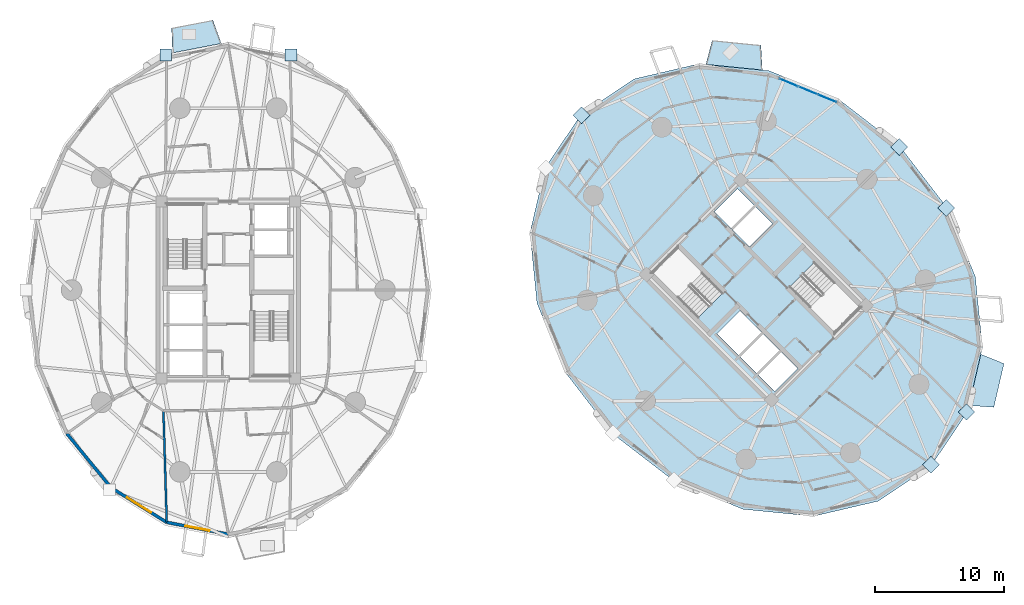
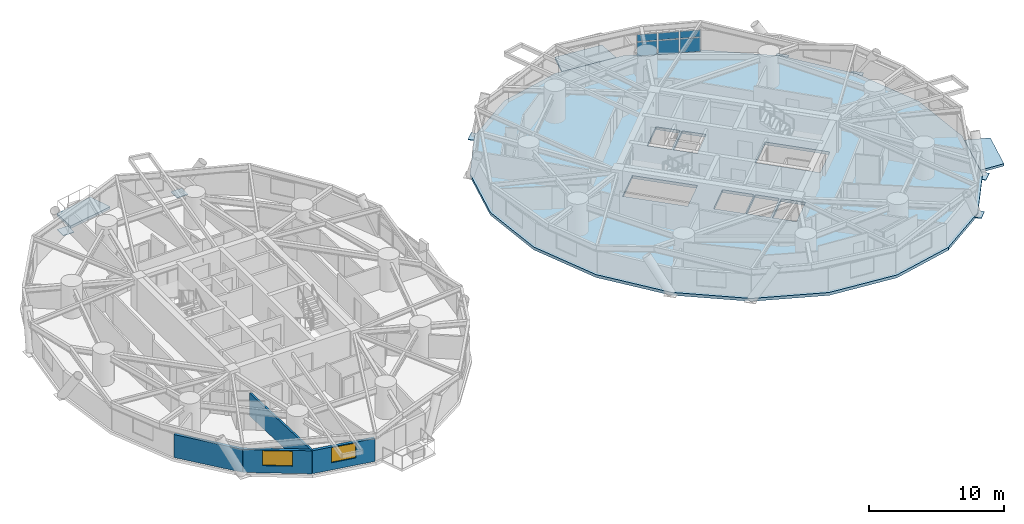
# One storey, part 9 of 20: 13 plates, 4 slabs, 4 walls, 2 windows, 2 openings, 1 element without a shape of its own.
"""IFC4 building model written with IfcOpenShell, lengths in metres."""

import ifcopenshell
import ifcopenshell.guid

model = None  # the IFC model being written
_history = None  # IfcOwnerHistory: only IFC2X3 demands one
_inside = {}  # id of a spatial element -> (the spatial element, [elements in it])
_under = {}  # id of a project, library or spatial element -> (it, [spatial elements below it])
_declared = {}  # id of a project -> (the project, [libraries it declares])
_typed = {}  # id of a type object -> (the type object, [elements of that type])
_made_of = {}  # id of a material, layer set ... -> (it, [elements and type objects made of it])


def new_model(schema):
    """Start an empty IFC model of exactly this schema.

    Asked for "IFC4X3", IfcOpenShell would pick the latest addendum, in which some entities
    have other attributes; the version numbers below select the first issue.
    IFC2X3 requires an IfcOwnerHistory on every rooted entity: one is made here for all.
    """
    global model, _history
    if schema == "IFC4X3":
        model = ifcopenshell.file(schema_version=(4, 3, 0, 0))
    else:
        model = ifcopenshell.file(schema=schema)
    _inside.clear()
    _under.clear()
    _declared.clear()
    _typed.clear()
    _made_of.clear()
    _history = None
    if model.schema == "IFC2X3":
        org = make("IfcOrganization", Name="unknown")
        user = make(
            "IfcPersonAndOrganization",
            ThePerson=make("IfcPerson", FamilyName="unknown"),
            TheOrganization=org,
        )
        app = make(
            "IfcApplication",
            ApplicationDeveloper=org,
            Version="unknown",
            ApplicationFullName="unknown",
            ApplicationIdentifier="unknown",
        )
        _history = make(
            "IfcOwnerHistory",
            OwningUser=user,
            OwningApplication=app,
            ChangeAction="ADDED",
            CreationDate=0,
        )
    return model


def make(cls, **values):
    """One entity of the class cls with the attributes given. An attribute that is None is left unset."""
    return model.create_entity(
        cls, **{name: value for name, value in values.items() if value is not None}
    )


def rooted(cls, **values):
    """An entity with a GlobalId (a new one), such as an element, a storey or a relation."""
    return make(cls, GlobalId=ifcopenshell.guid.new(), OwnerHistory=_history, **values)


def si_unit(unit_type, name, prefix=None):
    """IfcSIUnit, for example si_unit("LENGTHUNIT", "METRE", prefix="MILLI")."""
    return make("IfcSIUnit", UnitType=unit_type, Prefix=prefix, Name=name)


def assignment(units):
    """IfcUnitAssignment: the units of a project."""
    return None if units is None else make("IfcUnitAssignment", Units=units)


def point(xyz):
    """IfcCartesianPoint."""
    return None if xyz is None else make("IfcCartesianPoint", Coordinates=xyz)


def direction(xyz):
    """IfcDirection."""
    return None if xyz is None else make("IfcDirection", DirectionRatios=xyz)


def frame(location, z_axis=None, x_axis=None):
    """IfcAxis2Placement3D, a coordinate frame: its origin and axes. An axis left out is left unset."""
    return make(
        "IfcAxis2Placement3D",
        Location=point(location),
        Axis=direction(z_axis),
        RefDirection=direction(x_axis),
    )


def frame_2d(location, x_axis=None):
    """IfcAxis2Placement2D, a coordinate frame in the plane: its origin and x axis."""
    return make(
        "IfcAxis2Placement2D", Location=point(location), RefDirection=direction(x_axis)
    )


def origin():
    """The frame at (0, 0, 0) with its axes left unset."""
    return frame((0.0, 0.0, 0.0))


def origin_2d():
    """The frame at (0, 0) in the plane with its x axis left unset."""
    return frame_2d((0.0, 0.0))


def place(relative_to, where):
    """IfcLocalPlacement: puts the frame where relative to a parent placement (None: the world)."""
    return make(
        "IfcLocalPlacement", PlacementRelTo=relative_to, RelativePlacement=where
    )


def context(
    kind, dimensions, precision=None, world=None, true_north=None, identifier=None
):
    """IfcGeometricRepresentationContext, for example the 3D "Model" context."""
    return make(
        "IfcGeometricRepresentationContext",
        ContextIdentifier=identifier,
        ContextType=kind,
        CoordinateSpaceDimension=dimensions,
        Precision=precision,
        WorldCoordinateSystem=world,
        TrueNorth=true_north,
    )


def subcontext(parent, identifier, kind, view, scale=None):
    """IfcGeometricRepresentationSubContext, for example "Body" below "Model"."""
    return make(
        "IfcGeometricRepresentationSubContext",
        ContextIdentifier=identifier,
        ContextType=kind,
        ParentContext=parent,
        TargetScale=scale,
        TargetView=view,
    )


def project(units=None, contexts=None):
    """IfcProject with its units and contexts."""
    return rooted(
        "IfcProject",
        Name="project",
        RepresentationContexts=contexts,
        UnitsInContext=assignment(units),
    )


def spatial(cls, under=None, at=None, **own):
    """A site, building, storey or space (cls), placed at a placement, below another one or the project."""
    s = rooted(cls, ObjectPlacement=at, **own)
    if under is not None:
        _under.setdefault(under.id(), (under, []))[1].append(s)
    return s


def polyline(points):
    """IfcPolyline through the points."""
    return make("IfcPolyline", Points=[point(p) for p in points])


def profile(cls, at=None, kind="AREA", **sizes):
    """A parametric profile (cls). Its sizes go by their IFC names, for example OverallWidth=200.0."""
    return make(cls, ProfileType=kind, Position=at, **sizes)


def rectangle(**sizes):
    """IfcRectangleProfileDef."""
    return profile("IfcRectangleProfileDef", **sizes)


def outline(outer, holes=None, kind="AREA"):
    """IfcArbitraryClosedProfileDef: a profile drawn as a closed curve; with holes, ...WithVoids."""
    if holes is None:
        return make("IfcArbitraryClosedProfileDef", ProfileType=kind, OuterCurve=outer)
    return make(
        "IfcArbitraryProfileDefWithVoids",
        ProfileType=kind,
        OuterCurve=outer,
        InnerCurves=holes,
    )


def extrude(swept, where, along, depth):
    """IfcExtrudedAreaSolid: the profile swept, set in the frame where, extruded along a direction by depth."""
    return make(
        "IfcExtrudedAreaSolid",
        SweptArea=swept,
        Position=where,
        ExtrudedDirection=direction(along),
        Depth=depth,
    )


def shape(context_of_items, identifier, shape_type, items):
    """IfcShapeRepresentation: the items that make up one representation, for example the "Body"."""
    return make(
        "IfcShapeRepresentation",
        ContextOfItems=context_of_items,
        RepresentationIdentifier=identifier,
        RepresentationType=shape_type,
        Items=items,
    )


def source(mapping_origin, context_of_items, identifier, shape_type, items):
    """IfcRepresentationMap: a shape defined once, which mapped items show again and again."""
    return make(
        "IfcRepresentationMap",
        MappingOrigin=mapping_origin,
        MappedRepresentation=shape(context_of_items, identifier, shape_type, items),
    )


def transform(
    local_origin,
    x_axis=None,
    y_axis=None,
    z_axis=None,
    scale=None,
    scale2=None,
    scale3=None,
    uniform=True,
):
    """IfcCartesianTransformationOperator3D, or its non-uniform kind. x_axis, y_axis, z_axis: its Axis1, 2, 3."""
    if uniform:
        return make(
            "IfcCartesianTransformationOperator3D",
            Axis1=direction(x_axis),
            Axis2=direction(y_axis),
            LocalOrigin=point(local_origin),
            Scale=scale,
            Axis3=direction(z_axis),
        )
    return make(
        "IfcCartesianTransformationOperator3DnonUniform",
        Axis1=direction(x_axis),
        Axis2=direction(y_axis),
        LocalOrigin=point(local_origin),
        Scale=scale,
        Axis3=direction(z_axis),
        Scale2=scale2,
        Scale3=scale3,
    )


def mapped(mapping_source, mapping_target):
    """IfcMappedItem: shows the shape of a source again, moved by a transform."""
    return make(
        "IfcMappedItem", MappingSource=mapping_source, MappingTarget=mapping_target
    )


def material(Name=None, Category=None):
    """IfcMaterial."""
    return make("IfcMaterial", Name=Name, Category=Category)


def layer(
    of_material, thickness, ventilated=None, Name=None, Category=None, Priority=None
):
    """IfcMaterialLayer: one layer of a wall or slab, of a material (None: an air gap)."""
    return make(
        "IfcMaterialLayer",
        Material=of_material,
        LayerThickness=thickness,
        IsVentilated=ventilated,
        Name=Name,
        Category=Category,
        Priority=Priority,
    )


def layer_set(layers, Name=None):
    """IfcMaterialLayerSet."""
    return make("IfcMaterialLayerSet", MaterialLayers=layers, LayerSetName=Name)


def made_of(thing, what):
    """Note that an element or type object is made of a material, layer set ...; save() writes the relation."""
    if what is not None:
        _made_of.setdefault(what.id(), (what, []))[1].append(thing)
    return thing


def type_object(cls, material=None, **own):
    """A type object (cls), such as IfcWallType, which elements share."""
    return made_of(rooted(cls, **own), material)


def element(
    cls,
    number,
    at=None,
    inside=None,
    cuts=None,
    type_object=None,
    material=None,
    context=None,
    identifier="Body",
    shape_type=None,
    held_by="IfcProductDefinitionShape",
    body=None,
    shapes=None,
    **own,
):
    """One element of the class cls, such as IfcWall. Its Tag is "e" and its number.

    at: its placement. inside: the storey or other place that contains it. cuts: it is an
    opening in that element (IfcRelVoidsElement). A single representation is given by context,
    identifier, shape_type and body (its items); several are given by shapes. held_by: the class
    of the entity that holds the representations. save() writes the other relations.
    """
    e = rooted(cls, Tag="e%d" % number, ObjectPlacement=at, **own)
    if body is not None:
        shapes = [shape(context, identifier, shape_type, body)]
    if shapes is not None:
        e.Representation = make(held_by, Representations=shapes)
    if inside is not None:
        _inside.setdefault(inside.id(), (inside, []))[1].append(e)
    if cuts is not None:
        rooted(
            "IfcRelVoidsElement", RelatingBuildingElement=cuts, RelatedOpeningElement=e
        )
    if type_object is not None:
        _typed.setdefault(type_object.id(), (type_object, []))[1].append(e)
    return made_of(e, material)


def fill(opening, filler):
    """IfcRelFillsElement: the door or window that sits in an opening."""
    return rooted(
        "IfcRelFillsElement",
        RelatingOpeningElement=opening,
        RelatedBuildingElement=filler,
    )


def aggregate(whole, parts):
    """IfcRelAggregates: a whole, such as a stair, and the parts it consists of."""
    return rooted("IfcRelAggregates", RelatingObject=whole, RelatedObjects=parts)


def save(model, path):
    """Write the relations noted so far, then the file.

    IfcRelAggregates (storeys below a building ...), IfcRelContainedInSpatialStructure (elements
    in a storey), IfcRelDefinesByType, IfcRelAssociatesMaterial and IfcRelDeclares: one each for
    every whole, place, type object, material and project.
    """
    for whole, parts in _under.values():
        aggregate(whole, parts)
    for where, things in _inside.values():
        rooted(
            "IfcRelContainedInSpatialStructure",
            RelatedElements=things,
            RelatingStructure=where,
        )
    for kind, things in _typed.values():
        rooted("IfcRelDefinesByType", RelatedObjects=things, RelatingType=kind)
    for what, things in _made_of.values():
        rooted("IfcRelAssociatesMaterial", RelatedObjects=things, RelatingMaterial=what)
    for by, libraries in _declared.values():
        rooted("IfcRelDeclares", RelatingContext=by, RelatedDefinitions=libraries)
    model.write(path)


model = new_model("IFC4")

# Units and contexts
model_context = context("Model", 3, precision=1e-05, world=origin(), true_north=direction((0.0, 1.0)))
body_context = subcontext(model_context, "Body", "Model", "MODEL_VIEW")
ifc_project = project(units=[si_unit("LENGTHUNIT", "METRE"), si_unit("AREAUNIT", "SQUARE_METRE"), si_unit("VOLUMEUNIT", "CUBIC_METRE"), si_unit("PLANEANGLEUNIT", "RADIAN"), si_unit("MASSUNIT", "GRAM", prefix="KILO")], contexts=[model_context])

# Site, building, storey
site_placement = place(None, origin())
site = spatial("IfcSite", under=ifc_project, at=site_placement, CompositionType="ELEMENT")
building_placement = place(site_placement, origin())
building = spatial("IfcBuilding", under=site, at=building_placement, Name="Cununo Teusaquillo Station Towers", CompositionType="ELEMENT")
storey_placement = place(building_placement, frame((0.0, 0.0, 39.4599609375)))
storey = spatial("IfcBuildingStorey", under=building, at=storey_placement, Name="L11", CompositionType="ELEMENT", Elevation=39.4599609375)

# Slabs
ifc_material_1 = material(Name="Concrete C50/60", Category="concrete")
ifc_layer_1 = layer(ifc_material_1, 0.2099609375)
ifc_layer_set_1 = layer_set([ifc_layer_1], Name="Concrete C50/60")
slab_type_1 = type_object("IfcSlabType", Name="SLB-BAL-210", PredefinedType="FLOOR", material=ifc_layer_set_1)
slab_1_placement = place(storey_placement, frame((0.0, 0.0, -0.2099609375)))
element("IfcSlab", 1, at=slab_1_placement, inside=storey, type_object=slab_type_1, Name="L11 Tower A Tree Balcony Slab 1", PredefinedType="FLOOR", context=body_context, shape_type="SweptSolid", body=[
    extrude(outline(polyline([(15.958984375, 43.650634765625), (12.1630859375, 42.9169921875), (12.09423828125, 44.854248046875), (15.30126953125, 45.473876953125), (15.958984375, 43.650634765625)])), origin(), (0.0, 0.0, 1.0), 0.2099609375),
])
slab_2_placement = place(storey_placement, frame((0.0, 0.0, -0.2099609375)))
element("IfcSlab", 2, at=slab_2_placement, inside=storey, type_object=slab_type_1, Name="L11 Tower B Tree Balcony Slab 1", PredefinedType="FLOOR", context=body_context, shape_type="SweptSolid", body=[
    extrude(outline(polyline([(57.97900390625, 41.586669921875), (53.59375, 42.02099609375), (54.081298828125, 43.897216796875), (57.869140625, 43.52197265625), (57.97900390625, 41.586669921875)])), origin(), (0.0, 0.0, 1.0), 0.2099609375),
])
slab_3_placement = place(storey_placement, frame((0.0, 0.0, -0.2099609375)))
element("IfcSlab", 3, at=slab_3_placement, inside=storey, type_object=slab_type_1, Name="L11 Tower B Tree Balcony Slab 2", PredefinedType="FLOOR", context=body_context, shape_type="SweptSolid", body=[
    extrude(outline(polyline([(74.023193359375, 15.536865234375), (74.9501953125, 19.50927734375), (76.7470703125, 18.781982421875), (75.956298828125, 15.393798828125), (74.023193359375, 15.536865234375)])), origin(), (0.0, 0.0, 1.0), 0.2099609375),
])
ifc_material_2 = material(Name="Concrete C50/60", Category="concrete")
ifc_layer_2 = layer(ifc_material_2, 0.260009765625)
ifc_layer_set_2 = layer_set([ifc_layer_2], Name="Concrete C50/60")
slab_type_2 = type_object("IfcSlabType", Name="SLB-Z1-260", PredefinedType="FLOOR", material=ifc_layer_set_2)
slab_4_placement = place(storey_placement, frame((0.0, 0.0, -0.260009765625)))
element("IfcSlab", 4, at=slab_4_placement, inside=storey, type_object=slab_type_2, Name="L11 Tower B Floor Slab", PredefinedType="FLOOR", context=body_context, shape_type="SweptSolid", body=[
    extrude(outline(polyline([(68.657470703125, 35.657470703125), (63.905029296875, 39.317626953125), (58.525634765625, 41.52734375), (53.0458984375, 42.0703125), (48.002197265625, 40.893310546875), (43.88818359375, 38.11181640625), (41.106689453125, 33.997802734375), (39.9296875, 28.9541015625), (40.47265625, 23.474365234375), (42.682373046875, 18.094970703125), (46.342529296875, 13.342529296875), (51.094970703125, 9.682373046875), (56.474365234375, 7.47265625), (61.9541015625, 6.9296875), (66.997802734375, 8.106689453125), (71.11181640625, 10.88818359375), (73.893310546875, 15.002197265625), (75.0703125, 20.0458984375), (74.52734375, 25.525634765625), (72.317626953125, 30.905029296875), (68.657470703125, 35.657470703125)]), holes=[polyline([(54.914794921875, 24.28515625), (51.390625, 27.809326171875), (49.43896484375, 25.857666015625), (52.963134765625, 22.33349609375), (54.914794921875, 24.28515625)]), polyline([(60.085205078125, 24.71484375), (63.609375, 21.190673828125), (65.56103515625, 23.142333984375), (62.036865234375, 26.66650390625), (60.085205078125, 24.71484375)]), polyline([(56.156494140625, 19.40869140625), (57.945556640625, 21.19775390625), (56.248291015625, 22.89501953125), (54.45947265625, 21.10595703125), (56.156494140625, 19.40869140625)]), polyline([(58.94970703125, 16.61572265625), (60.738525390625, 18.40478515625), (59.430419921875, 19.712890625), (57.641357421875, 17.923828125), (58.94970703125, 16.61572265625)]), polyline([(57.535400390625, 18.030029296875), (59.32421875, 19.819091796875), (58.01611328125, 21.127197265625), (56.227294921875, 19.338134765625), (57.535400390625, 18.030029296875)]), polyline([(56.98388671875, 27.872802734375), (58.772705078125, 29.661865234375), (57.464599609375, 30.969970703125), (55.67578125, 29.180908203125), (56.98388671875, 27.872802734375)]), polyline([(55.569580078125, 29.287109375), (57.358642578125, 31.076171875), (56.05029296875, 32.38427734375), (54.261474609375, 30.59521484375), (55.569580078125, 29.287109375)])]), origin(), (0.0, 0.0, 1.0), 0.260009765625),
])

# Plates
ifc_material_3 = material(Name="Steel ASTM A572 Grade 50", Category="steel")
ifc_layer_3 = layer(ifc_material_3, 0.050048828125)
ifc_layer_set_3 = layer_set([ifc_layer_3], Name="Steel ASTM A572 Grade 50")
plate_type_1 = type_object("IfcPlateType", Name="PLT-NODE-DN1", PredefinedType="USERDEFINED", material=ifc_layer_set_3)
shared_shape_1 = source(origin(), body_context, "Body", "SweptSolid", [
    extrude(rectangle(XDim=0.919921875, YDim=0.919921875, at=origin_2d()), origin(), (0.0, 0.0, 1.0), 0.050048828125),
])
for number, where, z_axis, x_axis, name in (
    (5, (21.357421875, 42.750732421875, -0.1650390625), (0.0, 0.0, 1.0), (1.0, 0.0, 0.0), "L11 Tower A Diagrid Node Assembly C03"),
    (6, (11.642578125, 42.750732421875, -0.1650390625), (0.0, 0.0, 1.0), (1.0, 0.0, 0.0), "L11 Tower A Diagrid Node Assembly C06"),
    (7, (68.614990234375, 35.614990234375, -0.1650390625), (0.0, 0.0, 1.0), (0.707106781187, 0.707106781187, 0.0), "L11 Tower B Diagrid Node Assembly C00"),
    (8, (43.9306640625, 38.0693359375, -0.1650390625), (0.0, 0.0, 1.0), (0.707106781187, 0.707106781187, 0.0), "L11 Tower B Diagrid Node Assembly C04"),
    (9, (71.0693359375, 10.9306640625, -0.1650390625), (0.0, 0.0, 1.0), (0.707106781187, 0.707106781187, 0.0), "L11 Tower B Diagrid Node Assembly C14"),
    (10, (73.840087890625, 15.029296875, -0.1650390625), (0.0, 0.0, 1.0), (0.707106781187, 0.707106781187, 0.0), "L11 Tower B Diagrid Node Assembly C16"),
    (11, (72.26416015625, 30.8779296875, -0.1650390625), (0.0, 0.0, 1.0), (0.707106781187, 0.707106781187, 0.0), "L11 Tower B Diagrid Node Assembly C18"),
):
    element("IfcPlate", number, at=place(storey_placement, frame(where, z_axis=z_axis, x_axis=x_axis)), inside=storey, type_object=plate_type_1, Name=name, ObjectType="GUSSET PLATE", PredefinedType="USERDEFINED", context=body_context, shape_type="MappedRepresentation", body=[
        mapped(shared_shape_1, transform((0.0, 0.0, 0.0), x_axis=(1.0, 0.0, 0.0), y_axis=(0.0, 1.0, 0.0), z_axis=(0.0, 0.0, 1.0), scale=1.0)),
    ])

# Curtain wall, plates
ifc_material_4 = material(Name="Ceramic-fritted dark low-E double glazing", Category="glass")
ifc_layer_4 = layer(ifc_material_4, 0.179931640625)
ifc_layer_set_4 = layer_set([ifc_layer_4], Name="Ceramic-fritted dark low-E double glazing")
curtain_wall_type = type_object("IfcCurtainWallType", Name="CW-SYS-02", PredefinedType="USERDEFINED", material=ifc_layer_set_4)
curtain_wall_placement = place(storey_placement, origin())
curtain_wall = element("IfcCurtainWall", 12, at=curtain_wall_placement, inside=storey, type_object=curtain_wall_type, Name="L11 Tower B Facade Curtain Wall C01", ObjectType="FRITTED GLAZING", PredefinedType="USERDEFINED")
ifc_material_5 = material(Name="Ceramic-fritted dark low-E double glazing", Category="glass")
ifc_layer_5 = layer(ifc_material_5, 0.028076171875)
ifc_layer_set_5 = layer_set([ifc_layer_5], Name="Ceramic-fritted dark low-E double glazing")
plate_type_2 = type_object("IfcPlateType", Name="CWP-FRIT-28", PredefinedType="CURTAIN_PANEL", material=ifc_layer_set_5)
shared_shape_2 = source(origin(), body_context, "Body", "SweptSolid", [
    extrude(rectangle(XDim=1.52099609375, YDim=0.028076171875, at=origin_2d()), origin(), (0.0, 0.0, 1.0), 1.241943359375),
])
plate_1_placement = place(storey_placement, frame((60.03564453125, 40.610595703125, 0.06982421875), z_axis=(0.0, 0.0, 1.0), x_axis=(0.924552379146, -0.381054980568, 0.0)))
plate_1 = element("IfcPlate", 13, at=plate_1_placement, type_object=plate_type_2, Name="CW-02 panel 1.1", PredefinedType="CURTAIN_PANEL", context=body_context, shape_type="MappedRepresentation", body=[
    mapped(shared_shape_2, transform((0.0, 0.0, 0.0), x_axis=(1.0, 0.0, 0.0), y_axis=(0.0, 1.0, 0.0), z_axis=(0.0, 0.0, 1.0), scale=1.0)),
])
plate_2_placement = place(storey_placement, frame((63.010009765625, 39.384765625, 0.06982421875), z_axis=(0.0, 0.0, 1.0), x_axis=(0.924552379146, -0.381054980568, 0.0)))
plate_2 = element("IfcPlate", 14, at=plate_2_placement, type_object=plate_type_2, Name="CW-02 panel 3.1", PredefinedType="CURTAIN_PANEL", context=body_context, shape_type="MappedRepresentation", body=[
    mapped(shared_shape_2, transform((0.0, 0.0, 0.0), x_axis=(1.0, 0.0, 0.0), y_axis=(0.0, 1.0, 0.0), z_axis=(0.0, 0.0, 1.0), scale=1.0)),
])
shared_shape_3 = source(origin(), body_context, "Body", "SweptSolid", [
    extrude(rectangle(XDim=1.52099609375, YDim=0.028076171875, at=origin_2d()), origin(), (0.0, 0.0, 1.0), 0.62109375),
])
plate_3_placement = place(storey_placement, frame((60.03564453125, 40.610595703125, 1.382080078125), z_axis=(0.0, 0.0, 1.0), x_axis=(0.924552379146, -0.381054980568, 0.0)))
plate_3 = element("IfcPlate", 15, at=plate_3_placement, type_object=plate_type_2, Name="CW-02 panel 1.2", PredefinedType="CURTAIN_PANEL", context=body_context, shape_type="MappedRepresentation", body=[
    mapped(shared_shape_3, transform((0.0, 0.0, 0.0), x_axis=(1.0, 0.0, 0.0), y_axis=(0.0, 1.0, 0.0), z_axis=(0.0, 0.0, 1.0), scale=1.0)),
])
plate_4_placement = place(storey_placement, frame((63.010009765625, 39.384765625, 1.382080078125), z_axis=(0.0, 0.0, 1.0), x_axis=(0.924552379146, -0.381054980568, 0.0)))
plate_4 = element("IfcPlate", 16, at=plate_4_placement, type_object=plate_type_2, Name="CW-02 panel 3.2", PredefinedType="CURTAIN_PANEL", context=body_context, shape_type="MappedRepresentation", body=[
    mapped(shared_shape_3, transform((0.0, 0.0, 0.0), x_axis=(1.0, 0.0, 0.0), y_axis=(0.0, 1.0, 0.0), z_axis=(0.0, 0.0, 1.0), scale=1.0)),
])
shared_shape_4 = source(origin(), body_context, "Body", "SweptSolid", [
    extrude(rectangle(XDim=1.555908203125, YDim=0.028076171875, at=origin_2d()), origin(), (0.0, 0.0, 1.0), 1.241943359375),
])
plate_5_placement = place(storey_placement, frame((61.52294921875, 39.99755859375, 0.06982421875), z_axis=(0.0, 0.0, 1.0), x_axis=(0.924552379146, -0.381054980568, 0.0)))
plate_5 = element("IfcPlate", 17, at=plate_5_placement, type_object=plate_type_2, Name="CW-02 panel 2.1", PredefinedType="CURTAIN_PANEL", context=body_context, shape_type="MappedRepresentation", body=[
    mapped(shared_shape_4, transform((0.0, 0.0, 0.0), x_axis=(1.0, 0.0, 0.0), y_axis=(0.0, 1.0, 0.0), z_axis=(0.0, 0.0, 1.0), scale=1.0)),
])
shared_shape_5 = source(origin(), body_context, "Body", "SweptSolid", [
    extrude(rectangle(XDim=1.555908203125, YDim=0.028076171875, at=origin_2d()), origin(), (0.0, 0.0, 1.0), 0.62109375),
])
plate_6_placement = place(storey_placement, frame((61.52294921875, 39.99755859375, 1.382080078125), z_axis=(0.0, 0.0, 1.0), x_axis=(0.924552379146, -0.381054980568, 0.0)))
plate_6 = element("IfcPlate", 18, at=plate_6_placement, type_object=plate_type_2, Name="CW-02 panel 2.2", PredefinedType="CURTAIN_PANEL", context=body_context, shape_type="MappedRepresentation", body=[
    mapped(shared_shape_5, transform((0.0, 0.0, 0.0), x_axis=(1.0, 0.0, 0.0), y_axis=(0.0, 1.0, 0.0), z_axis=(0.0, 0.0, 1.0), scale=1.0)),
])
aggregate(curtain_wall, [plate_1, plate_3, plate_5, plate_6, plate_2, plate_4])

# Wall
ifc_material_6 = material(Name="Precast concrete C40/50", Category="concrete")
ifc_layer_6 = layer(ifc_material_6, 0.239990234375)
ifc_layer_set_6 = layer_set([ifc_layer_6], Name="Precast concrete C40/50")
wall_type_1 = type_object("IfcWallType", Name="WL-EXT-240", PredefinedType="SOLIDWALL", material=ifc_layer_set_6)
wall_1_placement = place(storey_placement, frame((7.389892578125, 9.15283203125, 0.0), z_axis=(0.0, 0.0, 1.0), x_axis=(-0.632710215588, 0.774388651189, 0.0)))
element("IfcWall", 19, at=wall_1_placement, inside=storey, type_object=wall_type_1, Name="L11 Tower A Exterior Facade Wall C12", PredefinedType="SOLIDWALL", context=body_context, shape_type="SweptSolid", body=[
    extrude(rectangle(XDim=5.41943359375, YDim=0.239990234375, at=frame_2d((2.709716796875, 0.0))), origin(), (0.0, 0.0, 1.0), 2.072998046875),
])

# Wall, opening, window
wall_2_placement = place(storey_placement, frame((11.71044921875, 6.45849609375, 0.0), z_axis=(0.0, 0.0, 1.0), x_axis=(-0.848528534887, 0.529149624853, 0.0)))
wall_2 = element("IfcWall", 20, at=wall_2_placement, inside=storey, type_object=wall_type_1, Name="L11 Tower A Exterior Facade Wall C13", PredefinedType="SOLIDWALL", context=body_context, shape_type="SweptSolid", body=[
    extrude(rectangle(XDim=5.091796875, YDim=0.239990234375, at=frame_2d((2.5458984375, 0.0))), origin(), (0.0, 0.0, 1.0), 2.072998046875),
])
shared_shape_6 = source(origin(), body_context, "Body", "SweptSolid", [
    extrude(rectangle(XDim=2.199951171875, YDim=1.35009765625, at=frame_2d((1.10009765625, 0.675048828125))), frame((0.0, 0.1298828125, 0.0), z_axis=(0.0, -1.0, 0.0), x_axis=(1.0, 0.0, 0.0)), (0.0, 0.0, 1.0), 0.260009765625),
])
opening_1_placement = place(wall_2_placement, frame((1.446044921875, 0.0, 0.64990234375)))
opening_1 = element("IfcOpeningElement", 21, at=opening_1_placement, cuts=wall_2, Name="Opening WN-01", PredefinedType="OPENING", context=body_context, shape_type="MappedRepresentation", body=[
    mapped(shared_shape_6, transform((0.0, 0.0, 0.0), x_axis=(1.0, 0.0, 0.0), y_axis=(0.0, 1.0, 0.0), z_axis=(0.0, 0.0, 1.0), scale=1.0)),
])
ifc_material_7 = material(Name="Ceramic-fritted dark low-E double glazing", Category="glass")
window_type_1 = type_object("IfcWindowType", Name="WIN-FRIT-2200", PartitioningType="DOUBLE_PANEL_VERTICAL", PredefinedType="WINDOW", material=ifc_material_7)
shared_shape_7 = source(origin(), body_context, "Body", "SweptSolid", [
    extrude(rectangle(XDim=2.199951171875, YDim=1.35009765625, at=frame_2d((1.10009765625, 0.675048828125))), frame((0.0, 0.030029296875, 0.0), z_axis=(0.0, -1.0, 0.0), x_axis=(1.0, 0.0, 0.0)), (0.0, 0.0, 1.0), 0.06005859375),
])
window_1_placement = place(opening_1_placement, origin())
window_1 = element("IfcWindow", 22, at=window_1_placement, inside=storey, type_object=window_type_1, Name="L11 Tower A Facade Window C13", OverallHeight=1.35009765625, OverallWidth=2.199951171875, PartitioningType="DOUBLE_PANEL_VERTICAL", PredefinedType="WINDOW", context=body_context, shape_type="MappedRepresentation", body=[
    mapped(shared_shape_7, transform((0.0, 0.0, 0.0), x_axis=(1.0, 0.0, 0.0), y_axis=(0.0, 1.0, 0.0), z_axis=(0.0, 0.0, 1.0), scale=1.0)),
])
fill(opening_1, window_1)

wall_3_placement = place(storey_placement, frame((16.5, 5.530029296875, 0.0), z_axis=(0.0, 0.0, 1.0), x_axis=(-0.981724094622, 0.190309752872, 0.0)))
wall_3 = element("IfcWall", 23, at=wall_3_placement, inside=storey, type_object=wall_type_1, Name="L11 Tower A Exterior Facade Wall C14", PredefinedType="SOLIDWALL", context=body_context, shape_type="SweptSolid", body=[
    extrude(rectangle(XDim=4.878662109375, YDim=0.239990234375, at=frame_2d((2.439453125, 0.0))), origin(), (0.0, 0.0, 1.0), 2.072998046875),
])
shared_shape_8 = source(origin(), body_context, "Body", "SweptSolid", [
    extrude(rectangle(XDim=1.89990234375, YDim=1.35009765625, at=frame_2d((0.949951171875, 0.675048828125))), frame((0.0, 0.1298828125, 0.0), z_axis=(0.0, -1.0, 0.0), x_axis=(1.0, 0.0, 0.0)), (0.0, 0.0, 1.0), 0.260009765625),
])
opening_2_placement = place(wall_3_placement, frame((1.489013671875, 0.0, 0.64990234375)))
opening_2 = element("IfcOpeningElement", 24, at=opening_2_placement, cuts=wall_3, Name="Opening WN-02", PredefinedType="OPENING", context=body_context, shape_type="MappedRepresentation", body=[
    mapped(shared_shape_8, transform((0.0, 0.0, 0.0), x_axis=(1.0, 0.0, 0.0), y_axis=(0.0, 1.0, 0.0), z_axis=(0.0, 0.0, 1.0), scale=1.0)),
])
ifc_material_8 = material(Name="Operable acoustic tinted low-E double glazing", Category="glass")
window_type_2 = type_object("IfcWindowType", Name="WIN-OPER-1900", PartitioningType="DOUBLE_PANEL_VERTICAL", PredefinedType="WINDOW", material=ifc_material_8)
shared_shape_9 = source(origin(), body_context, "Body", "SweptSolid", [
    extrude(rectangle(XDim=1.89990234375, YDim=1.35009765625, at=frame_2d((0.949951171875, 0.675048828125))), frame((0.0, 0.030029296875, 0.0), z_axis=(0.0, -1.0, 0.0), x_axis=(1.0, 0.0, 0.0)), (0.0, 0.0, 1.0), 0.06005859375),
])
window_2_placement = place(opening_2_placement, origin())
window_2 = element("IfcWindow", 25, at=window_2_placement, inside=storey, type_object=window_type_2, Name="L11 Tower A Facade Window C14", OverallHeight=1.35009765625, OverallWidth=1.89990234375, PartitioningType="DOUBLE_PANEL_VERTICAL", PredefinedType="WINDOW", context=body_context, shape_type="MappedRepresentation", body=[
    mapped(shared_shape_9, transform((0.0, 0.0, 0.0), x_axis=(1.0, 0.0, 0.0), y_axis=(0.0, 1.0, 0.0), z_axis=(0.0, 0.0, 1.0), scale=1.0)),
])
fill(opening_2, window_2)

# Wall
ifc_material_9 = material(Name="Fire-rated gypsum plasterboard partition assembly", Category="gypsum")
ifc_layer_7 = layer(ifc_material_9, 0.159912109375)
ifc_layer_set_7 = layer_set([ifc_layer_7], Name="Fire-rated gypsum plasterboard partition assembly")
wall_type_2 = type_object("IfcWallType", Name="WL-PART-160", PredefinedType="PARTITIONING", material=ifc_layer_set_7)
wall_4_placement = place(storey_placement, frame((11.459716796875, 15.128662109375, 0.0), z_axis=(0.0, 0.0, 1.0), x_axis=(0.029703270067, -0.999558760528, 0.0)))
element("IfcWall", 26, at=wall_4_placement, inside=storey, type_object=wall_type_2, Name="L11 Tower A Radial Suite Partition R06", PredefinedType="PARTITIONING", context=body_context, shape_type="SweptSolid", body=[
    extrude(rectangle(XDim=8.655029296875, YDim=0.159912109375, at=frame_2d((4.32763671875, 0.0))), origin(), (0.0, 0.0, 1.0), 2.072998046875),
])

save(model, "model.ifc")
